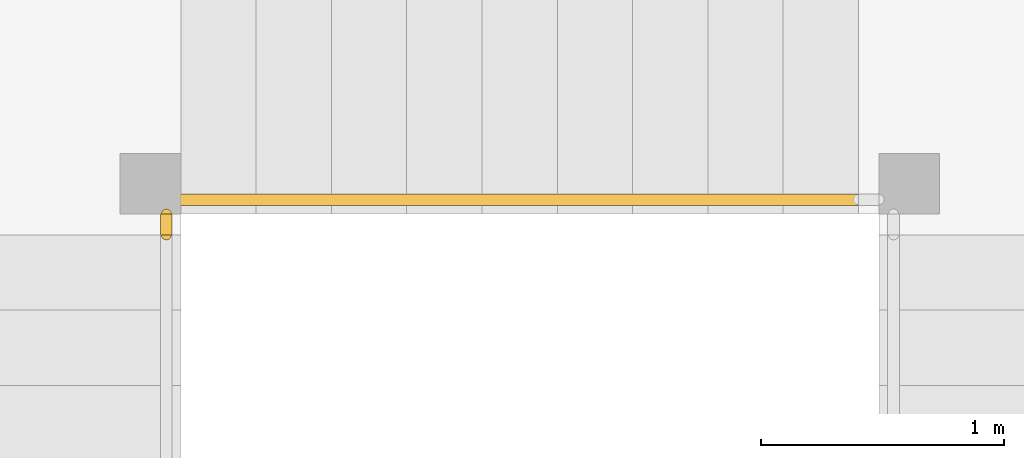
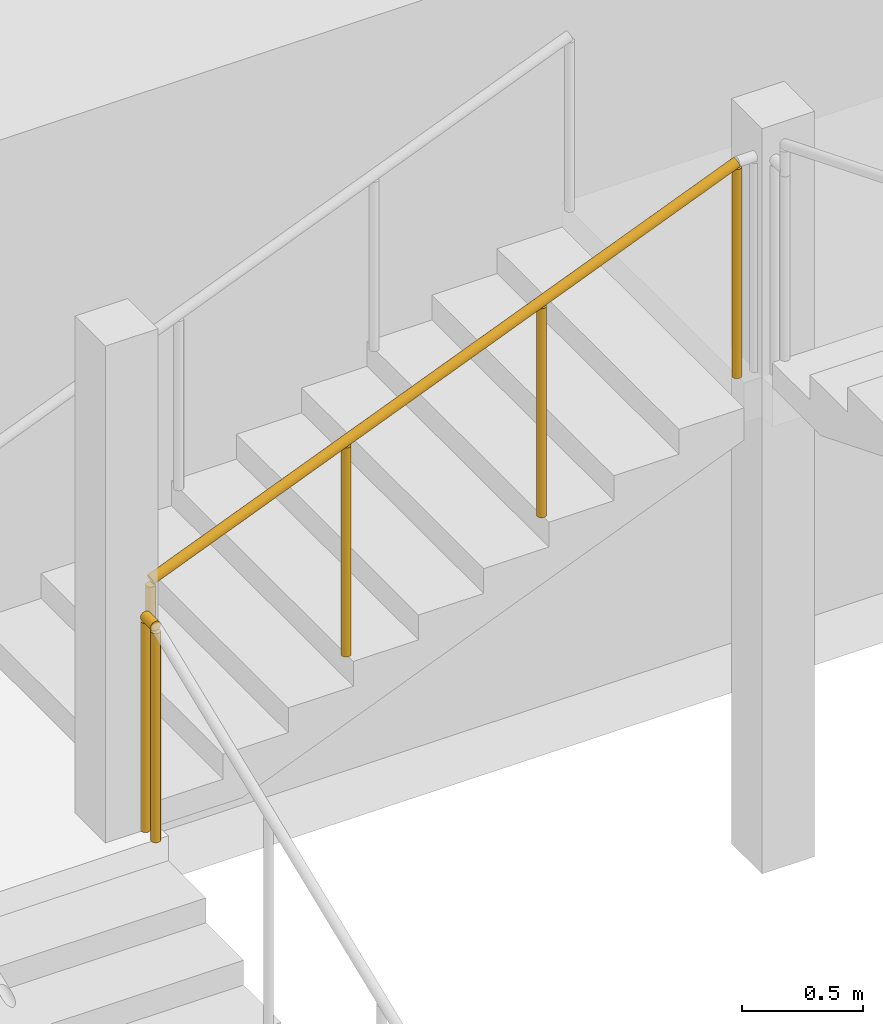
# One storey, part 37 of 40: 2 railings.
"""IFC4 building model written with IfcOpenShell, lengths in metres."""

from ifc_helpers import new_model, si_unit, direction, frame, origin, origin_2d, place, context, subcontext, project, spatial, circle, extrude, material, type_object, element, save


model = new_model("IFC4")

# Units and contexts
model_context = context("Model", 3, precision=1e-05, world=origin(), true_north=direction((0.0, 1.0)))
body_context = subcontext(model_context, "Body", "Model", "MODEL_VIEW")
ifc_project = project(units=[si_unit("LENGTHUNIT", "METRE"), si_unit("AREAUNIT", "SQUARE_METRE"), si_unit("VOLUMEUNIT", "CUBIC_METRE"), si_unit("PLANEANGLEUNIT", "RADIAN"), si_unit("MASSUNIT", "GRAM", prefix="KILO")], contexts=[model_context])

# Site, building, storey
site_placement = place(None, origin())
site = spatial("IfcSite", under=ifc_project, at=site_placement, CompositionType="ELEMENT")
building_placement = place(site_placement, origin())
building = spatial("IfcBuilding", under=site, at=building_placement, Name="Rekha Terrace Tower", CompositionType="ELEMENT")
storey_placement = place(building_placement, frame((0.0, 0.0, 210.199951171875)))
storey = spatial("IfcBuildingStorey", under=building, at=storey_placement, Name="L53", CompositionType="ELEMENT", Elevation=210.199951171875)

# Railings
ifc_material = material(Name="Stainless steel balustrade", Category="steel")
railing_type = type_object("IfcRailingType", Name="GR1 1100 stair guard", PredefinedType="GUARDRAIL", material=ifc_material)
railing_1_placement = place(storey_placement, frame((45.52490234375, 44.260009765625, 1.375)))
element("IfcRailing", 1, at=railing_1_placement, inside=storey, type_object=railing_type, Name="Guard ST2 L53 flight 2", PredefinedType="GUARDRAIL", context=body_context, shape_type="SweptSolid", body=[
    extrude(circle(Radius=0.02392578125, at=origin_2d()), frame((0.0, 0.0, 1.076171875), z_axis=(0.927443287984, 0.0, 0.373963831907), x_axis=(0.0, 1.0, 0.0)), (0.0, 0.0, 1.0), 3.00830078125),
    extrude(circle(Radius=0.02099609375, at=origin_2d()), origin(), (0.0, 0.0, 1.0), 1.052001953125),
    extrude(circle(Radius=0.02099609375, at=origin_2d()), frame((0.929931640625, 0.0, 0.375)), (0.0, 0.0, 1.0), 1.052001953125),
    extrude(circle(Radius=0.02099609375, at=origin_2d()), frame((1.860107421875, 0.0, 0.75)), (0.0, 0.0, 1.0), 1.052001953125),
    extrude(circle(Radius=0.02099609375, at=origin_2d()), frame((2.7900390625, 0.0, 1.125)), (0.0, 0.0, 1.0), 1.052001953125),
])
railing_2_placement = place(storey_placement, frame((45.465087890625, 44.114990234375, 1.25)))
element("IfcRailing", 2, at=railing_2_placement, inside=storey, type_object=railing_type, Name="Guard ST2 L53 landing 1", PredefinedType="GUARDRAIL", context=body_context, shape_type="SweptSolid", body=[
    extrude(circle(Radius=0.02392578125, at=origin_2d()), frame((0.0, 0.0, 1.076171875), z_axis=(0.0, 1.0, 0.0), x_axis=(-1.0, 0.0, 0.0)), (0.0, 0.0, 1.0), 0.0849609375),
    extrude(circle(Radius=0.02099609375, at=origin_2d()), origin(), (0.0, 0.0, 1.0), 1.052001953125),
    extrude(circle(Radius=0.02099609375, at=origin_2d()), frame((0.0, 0.0849609375, 0.0)), (0.0, 0.0, 1.0), 1.052001953125),
])

save(model, "model.ifc")
